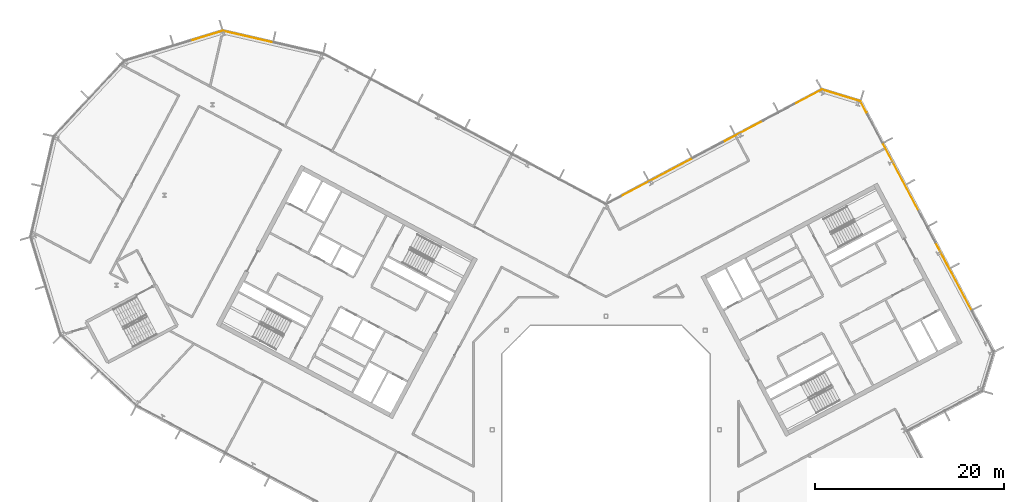
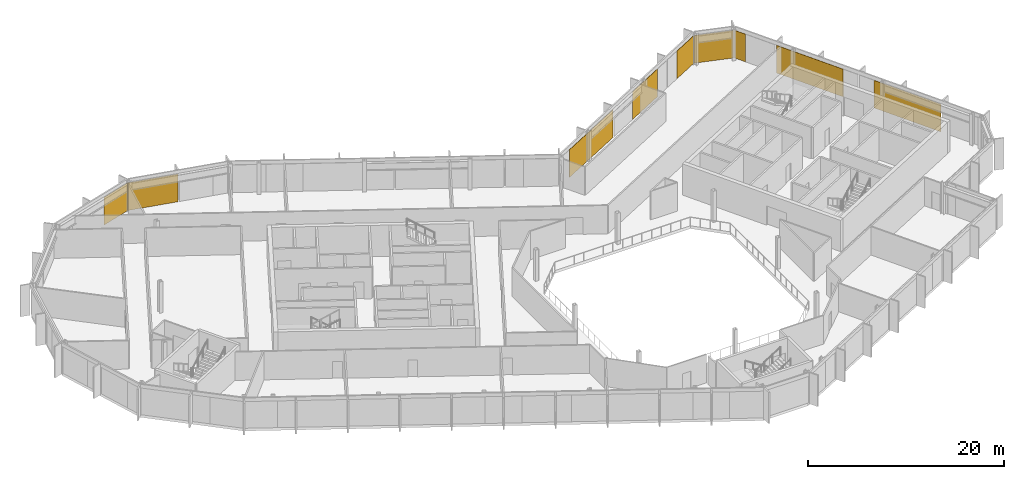
# One storey, part 25 of 25: 9 coverings, 5 elements without a shape of their own.
"""IFC4 building model written with IfcOpenShell, lengths in metres."""

from ifc_helpers import new_model, si_unit, direction, frame, origin, origin_2d, place, context, subcontext, project, spatial, rectangle, extrude, material, layer, layer_set, type_object, element, aggregate, save


model = new_model("IFC4")

# Units and contexts
model_context = context("Model", 3, precision=1e-05, world=origin(), true_north=direction((0.0, 1.0)))
body_context = subcontext(model_context, "Body", "Model", "MODEL_VIEW")
ifc_project = project(units=[si_unit("LENGTHUNIT", "METRE"), si_unit("AREAUNIT", "SQUARE_METRE"), si_unit("VOLUMEUNIT", "CUBIC_METRE"), si_unit("PLANEANGLEUNIT", "RADIAN"), si_unit("MASSUNIT", "GRAM", prefix="KILO")], contexts=[model_context])

# Site, building, storey
site_placement = place(None, origin())
site = spatial("IfcSite", under=ifc_project, at=site_placement, CompositionType="ELEMENT")
building_placement = place(site_placement, origin())
building = spatial("IfcBuilding", under=site, at=building_placement, Name="Cormorant Relay Tower", CompositionType="ELEMENT")
storey_placement = place(building_placement, frame((0.0, 0.0, 265.800048828125)))
storey = spatial("IfcBuildingStorey", under=building, at=storey_placement, Name="L59", CompositionType="ELEMENT", Elevation=265.800048828125)

# Curtain wall, coverings
ifc_material_1 = material(Name="Aluminium 6063-T6 anodised bronze", Category="aluminium")
ifc_layer_1 = layer(ifc_material_1, 0.199951171875)
ifc_layer_set_1 = layer_set([ifc_layer_1], Name="CW1 unitised bronze curtain wall with vertical fins")
curtain_wall_type = type_object("IfcCurtainWallType", Name="CW1 unitised bronze curtain wall with vertical fins", PredefinedType="NOTDEFINED", material=ifc_layer_set_1)
curtain_wall_1_placement = place(storey_placement, origin())
curtain_wall_1 = element("IfcCurtainWall", 1, at=curtain_wall_1_placement, inside=storey, type_object=curtain_wall_type, Name="CW1 curtain wall 6", PredefinedType="NOTDEFINED")
ifc_material_2 = material(Name="Pale bronze anodised aluminium insulated panel", Category="aluminium")
ifc_layer_2 = layer(ifc_material_2, 0.0400390625)
ifc_layer_set_2 = layer_set([ifc_layer_2], Name="CW1 pale bronze insulated panel 40")
covering_type = type_object("IfcCoveringType", Name="CW1 pale bronze insulated panel 40", PredefinedType="CLADDING", material=ifc_layer_set_2)
covering_1_placement = place(storey_placement, frame((36.697021484375, 16.227783203125, 0.0), z_axis=(0.0, 0.0, 1.0), x_axis=(-0.469471562786, 0.882947592859, 0.0)))
covering_1 = element("IfcCovering", 2, at=covering_1_placement, type_object=covering_type, Name="CW1 panel S02", PredefinedType="CLADDING", context=body_context, shape_type="SweptSolid", body=[
    extrude(rectangle(XDim=8.050048828125, YDim=0.0400390625, at=origin_2d()), origin(), (0.0, 0.0, 1.0), 3.449951171875),
])
covering_2_placement = place(storey_placement, frame((31.1572265625, 26.646484375, 0.0), z_axis=(0.0, 0.0, 1.0), x_axis=(-0.469471562786, 0.882947592859, 0.0)))
covering_2 = element("IfcCovering", 3, at=covering_2_placement, type_object=covering_type, Name="CW1 panel S05", PredefinedType="CLADDING", context=body_context, shape_type="SweptSolid", body=[
    extrude(rectangle(XDim=8.050048828125, YDim=0.0400390625, at=origin_2d()), origin(), (0.0, 0.0, 1.0), 3.449951171875),
])
covering_3_placement = place(storey_placement, frame((27.196044921875, 34.096435546875, 0.0), z_axis=(0.0, 0.0, 1.0), x_axis=(-0.469471562786, 0.882947592859, 0.0)))
covering_3 = element("IfcCovering", 4, at=covering_3_placement, type_object=covering_type, Name="CW1 panel S07", PredefinedType="CLADDING", context=body_context, shape_type="SweptSolid", body=[
    extrude(rectangle(XDim=1.324951171875, YDim=0.0400390625, at=origin_2d()), origin(), (0.0, 0.0, 1.0), 3.449951171875),
])
aggregate(curtain_wall_1, [covering_1, covering_2, covering_3])

# Curtain wall, covering
curtain_wall_2_placement = place(storey_placement, origin())
curtain_wall_2 = element("IfcCurtainWall", 5, at=curtain_wall_2_placement, inside=storey, type_object=curtain_wall_type, Name="CW1 curtain wall 7", PredefinedType="NOTDEFINED")
covering_4_placement = place(storey_placement, frame((24.808837890625, 35.322265625, 0.0), z_axis=(0.0, 0.0, 1.0), x_axis=(-0.956304755963, 0.292371704723, 0.0)))
covering_4 = element("IfcCovering", 6, at=covering_4_placement, type_object=covering_type, Name="CW1 panel S00", PredefinedType="CLADDING", context=body_context, shape_type="SweptSolid", body=[
    extrude(rectangle(XDim=4.16748046875, YDim=0.0400390625, at=origin_2d()), origin(), (0.0, 0.0, 1.0), 3.449951171875),
])
aggregate(curtain_wall_2, [covering_4])

# Curtain wall, coverings
curtain_wall_3_placement = place(storey_placement, origin())
curtain_wall_3 = element("IfcCurtainWall", 7, at=curtain_wall_3_placement, inside=storey, type_object=curtain_wall_type, Name="CW1 curtain wall 8", PredefinedType="NOTDEFINED")
covering_5_placement = place(storey_placement, frame((21.314453125, 35.1396484375, 0.0), z_axis=(0.0, 0.0, 1.0), x_axis=(-0.882947592859, -0.469471562786, 0.0)))
covering_5 = element("IfcCovering", 8, at=covering_5_placement, type_object=covering_type, Name="CW1 panel S00", PredefinedType="CLADDING", context=body_context, shape_type="SweptSolid", body=[
    extrude(rectangle(XDim=3.216796875, YDim=0.0400390625, at=origin_2d()), origin(), (0.0, 0.0, 1.0), 3.449951171875),
])
covering_6_placement = place(storey_placement, frame((14.471435546875, 31.501220703125, 0.0), z_axis=(0.0, 0.0, 1.0), x_axis=(-0.882947592859, -0.469471562786, 0.0)))
covering_6 = element("IfcCovering", 9, at=covering_6_placement, type_object=covering_type, Name="CW1 panel S03", PredefinedType="CLADDING", context=body_context, shape_type="SweptSolid", body=[
    extrude(rectangle(XDim=4.78369140625, YDim=0.0400390625, at=origin_2d()), origin(), (0.0, 0.0, 1.0), 3.449951171875),
])
covering_7_placement = place(storey_placement, frame((5.314208984375, 26.632080078125, 0.0), z_axis=(0.0, 0.0, 1.0), x_axis=(-0.882947592859, -0.469471562786, 0.0)))
covering_7 = element("IfcCovering", 10, at=covering_7_placement, type_object=covering_type, Name="CW1 panel S05", PredefinedType="CLADDING", context=body_context, shape_type="SweptSolid", body=[
    extrude(rectangle(XDim=8.45849609375, YDim=0.0400390625, at=origin_2d()), origin(), (0.0, 0.0, 1.0), 3.449951171875),
])
aggregate(curtain_wall_3, [covering_5, covering_6, covering_7])

# Curtain wall, covering
curtain_wall_4_placement = place(storey_placement, origin())
curtain_wall_4 = element("IfcCurtainWall", 11, at=curtain_wall_4_placement, inside=storey, type_object=curtain_wall_type, Name="CW1 curtain wall 10", PredefinedType="NOTDEFINED")
covering_8_placement = place(storey_placement, frame((-37.849609375, 41.530029296875, 0.0), z_axis=(0.0, 0.0, 1.0), x_axis=(-0.974370064785, 0.224951054344, 0.0)))
covering_8 = element("IfcCovering", 12, at=covering_8_placement, type_object=covering_type, Name="CW1 panel S02", PredefinedType="CLADDING", context=body_context, shape_type="SweptSolid", body=[
    extrude(rectangle(XDim=5.360107421875, YDim=0.0400390625, at=origin_2d()), origin(), (0.0, 0.0, 1.0), 3.449951171875),
])
aggregate(curtain_wall_4, [covering_8])

curtain_wall_5_placement = place(storey_placement, origin())
curtain_wall_5 = element("IfcCurtainWall", 13, at=curtain_wall_5_placement, inside=storey, type_object=curtain_wall_type, Name="CW1 curtain wall 11", PredefinedType="NOTDEFINED")
covering_9_placement = place(storey_placement, frame((-42.209716796875, 41.60107421875, 0.0), z_axis=(0.0, 0.0, 1.0), x_axis=(-0.956304755963, -0.292371704723, 0.0)))
covering_9 = element("IfcCovering", 14, at=covering_9_placement, type_object=covering_type, Name="CW1 panel S00", PredefinedType="CLADDING", context=body_context, shape_type="SweptSolid", body=[
    extrude(rectangle(XDim=3.485107421875, YDim=0.0400390625, at=origin_2d()), origin(), (0.0, 0.0, 1.0), 3.449951171875),
])
aggregate(curtain_wall_5, [covering_9])

save(model, "model.ifc")
